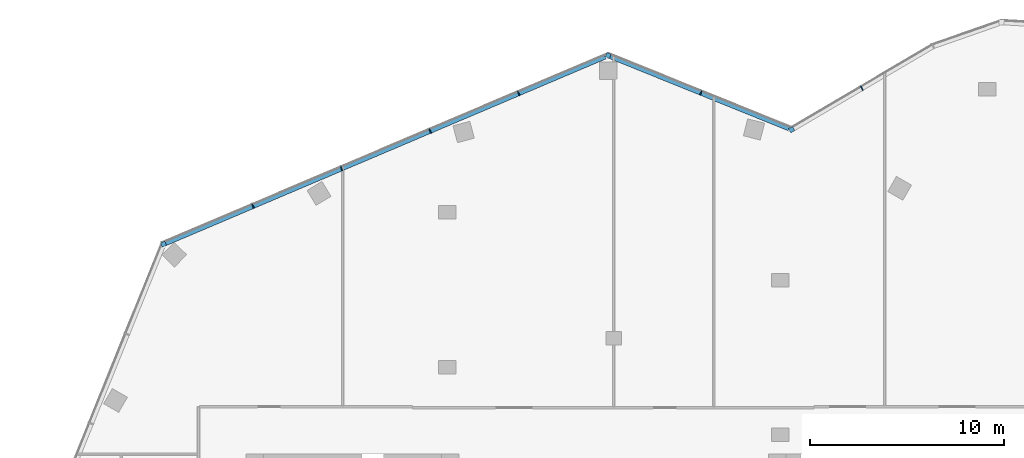
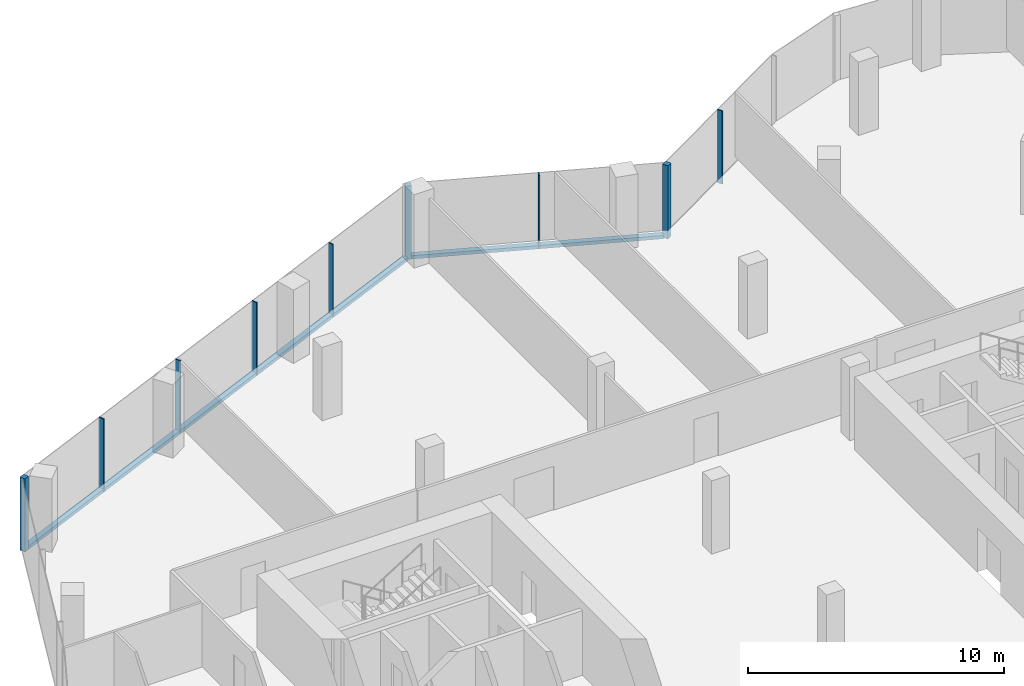
# One storey, part 8 of 16: 11 members, 3 elements without a shape of their own.
"""IFC4 building model written with IfcOpenShell, lengths in metres."""

from ifc_helpers import new_model, si_unit, direction, frame, origin, origin_2d, place, context, subcontext, project, spatial, rectangle, extrude, material, material_profile, profile_set, type_object, element, aggregate, save


model = new_model("IFC4")

# Units and contexts
model_context = context("Model", 3, precision=1e-05, world=origin(), true_north=direction((0.0, 1.0)))
body_context = subcontext(model_context, "Body", "Model", "MODEL_VIEW")
ifc_project = project(units=[si_unit("LENGTHUNIT", "METRE"), si_unit("AREAUNIT", "SQUARE_METRE"), si_unit("VOLUMEUNIT", "CUBIC_METRE"), si_unit("PLANEANGLEUNIT", "RADIAN"), si_unit("MASSUNIT", "GRAM", prefix="KILO")], contexts=[model_context])

# Site, building, storey
site_placement = place(None, origin())
site = spatial("IfcSite", under=ifc_project, at=site_placement, CompositionType="ELEMENT")
building_placement = place(site_placement, origin())
building = spatial("IfcBuilding", under=site, at=building_placement, Name="Orlundy Tower", CompositionType="ELEMENT")
storey_placement = place(building_placement, frame((0.0, 0.0, 282.39990234375)))
storey = spatial("IfcBuildingStorey", under=building, at=storey_placement, Name="L75", CompositionType="ELEMENT", Elevation=282.39990234375)

# Curtain wall, member
ifc_material_1 = material(Name="Aluminium bronze anodised", Category="aluminium")
curtain_wall_type = type_object("IfcCurtainWallType", Name="CW6 wall", PredefinedType="NOTDEFINED", material=ifc_material_1)
curtain_wall_1_placement = place(storey_placement, origin())
curtain_wall_1 = element("IfcCurtainWall", 1, at=curtain_wall_1_placement, inside=storey, type_object=curtain_wall_type, Name="CW6 run 016", PredefinedType="NOTDEFINED")
ifc_material_2 = material(Name="Aluminium bronze anodised", Category="aluminium")
ifc_material_profile_1 = material_profile(ifc_material_2, rectangle(XDim=0.239990234375, YDim=0.239990234375, at=origin_2d()), Name="CW6 corner post 240x240")
ifc_profile_set_1 = profile_set([ifc_material_profile_1], Name="Aluminium bronze anodised")
member_type_1 = type_object("IfcMemberType", Name="CW6 corner post 240x240", PredefinedType="MULLION", material=ifc_profile_set_1)
member_1_placement = place(storey_placement, frame((-23.253662109375, 22.85107421875, -0.39990234375), z_axis=(0.0, 0.0, 1.0), x_axis=(-0.390726531244, 0.920506804854, 0.0)))
member_1 = element("IfcMember", 2, at=member_1_placement, type_object=member_type_1, Name="CW6 mullion 32", PredefinedType="MULLION", context=body_context, shape_type="SweptSolid", body=[
    extrude(rectangle(XDim=0.239990234375, YDim=0.239990234375, at=origin_2d()), origin(), (0.0, 0.0, 1.0), 3.5),
])

curtain_wall_2_placement = place(storey_placement, origin())
curtain_wall_2 = element("IfcCurtainWall", 3, at=curtain_wall_2_placement, inside=storey, type_object=curtain_wall_type, Name="CW6 run 017", PredefinedType="NOTDEFINED")
member_2_placement = place(storey_placement, frame((-0.2841796875, 32.600830078125, -0.39990234375), z_axis=(0.0, 0.0, 1.0), x_axis=(0.374639101319, 0.927170719858, 0.0)))
member_2 = element("IfcMember", 4, at=member_2_placement, type_object=member_type_1, Name="CW6 mullion 37", PredefinedType="MULLION", context=body_context, shape_type="SweptSolid", body=[
    extrude(rectangle(XDim=0.239990234375, YDim=0.239990234375, at=origin_2d()), origin(), (0.0, 0.0, 1.0), 3.5),
])

curtain_wall_3_placement = place(storey_placement, origin())
curtain_wall_3 = element("IfcCurtainWall", 5, at=curtain_wall_3_placement, inside=storey, type_object=curtain_wall_type, Name="CW6 run 018", PredefinedType="NOTDEFINED")
member_3_placement = place(storey_placement, frame((9.197998046875, 28.76953125, -0.39990234375), z_axis=(0.0, 0.0, 1.0), x_axis=(-0.5074810252, 0.861662932394, 0.0)))
member_3 = element("IfcMember", 6, at=member_3_placement, type_object=member_type_1, Name="CW6 mullion 39", PredefinedType="MULLION", context=body_context, shape_type="SweptSolid", body=[
    extrude(rectangle(XDim=0.239990234375, YDim=0.239990234375, at=origin_2d()), origin(), (0.0, 0.0, 1.0), 3.5),
])

# Member
ifc_material_3 = material(Name="Aluminium bronze anodised", Category="aluminium")
ifc_material_profile_2 = material_profile(ifc_material_3, rectangle(XDim=0.239990234375, YDim=0.050048828125, at=origin_2d()), Name="CW6 mullion 50x240")
ifc_profile_set_2 = profile_set([ifc_material_profile_2], Name="Aluminium bronze anodised")
member_type_2 = type_object("IfcMemberType", Name="CW6 mullion 50x240", PredefinedType="MULLION", material=ifc_profile_set_2)
member_4_placement = place(storey_placement, frame((-18.63232421875, 24.812744140625, -0.39990234375), z_axis=(0.0, 0.0, 1.0), x_axis=(-0.390726531244, 0.920506804854, 0.0)))
member_4 = element("IfcMember", 7, at=member_4_placement, type_object=member_type_2, Name="CW6 mullion 33", PredefinedType="MULLION", context=body_context, shape_type="SweptSolid", body=[
    extrude(rectangle(XDim=0.239990234375, YDim=0.050048828125, at=origin_2d()), origin(), (0.0, 0.0, 1.0), 3.5),
])

member_5_placement = place(storey_placement, frame((-14.056640625, 26.7548828125, -0.39990234375), z_axis=(0.0, 0.0, 1.0), x_axis=(-0.390726531244, 0.920506804854, 0.0)))
member_5 = element("IfcMember", 8, at=member_5_placement, type_object=member_type_2, Name="CW6 mullion 34", PredefinedType="MULLION", context=body_context, shape_type="SweptSolid", body=[
    extrude(rectangle(XDim=0.239990234375, YDim=0.050048828125, at=origin_2d()), origin(), (0.0, 0.0, 1.0), 3.5),
])

member_6_placement = place(storey_placement, frame((-9.481201171875, 28.697021484375, -0.39990234375), z_axis=(0.0, 0.0, 1.0), x_axis=(-0.390726531244, 0.920506804854, 0.0)))
member_6 = element("IfcMember", 9, at=member_6_placement, type_object=member_type_2, Name="CW6 mullion 35", PredefinedType="MULLION", context=body_context, shape_type="SweptSolid", body=[
    extrude(rectangle(XDim=0.239990234375, YDim=0.050048828125, at=origin_2d()), origin(), (0.0, 0.0, 1.0), 3.5),
])

member_7_placement = place(storey_placement, frame((-4.905517578125, 30.63916015625, -0.39990234375), z_axis=(0.0, 0.0, 1.0), x_axis=(-0.390726531244, 0.920506804854, 0.0)))
member_7 = element("IfcMember", 10, at=member_7_placement, type_object=member_type_2, Name="CW6 mullion 36", PredefinedType="MULLION", context=body_context, shape_type="SweptSolid", body=[
    extrude(rectangle(XDim=0.239990234375, YDim=0.050048828125, at=origin_2d()), origin(), (0.0, 0.0, 1.0), 3.5),
])

member_8_placement = place(storey_placement, frame((4.507568359375, 30.664794921875, -0.39990234375), z_axis=(0.0, 0.0, 1.0), x_axis=(0.374639101319, 0.927170719858, 0.0)))
member_8 = element("IfcMember", 11, at=member_8_placement, type_object=member_type_2, Name="CW6 mullion 38", PredefinedType="MULLION", context=body_context, shape_type="SweptSolid", body=[
    extrude(rectangle(XDim=0.239990234375, YDim=0.050048828125, at=origin_2d()), origin(), (0.0, 0.0, 1.0), 3.5),
])

member_9_placement = place(storey_placement, frame((12.822998046875, 30.904296875, -0.39990234375), z_axis=(0.0, 0.0, 1.0), x_axis=(-0.5074810252, 0.861662932394, 0.0)))
member_9 = element("IfcMember", 12, at=member_9_placement, type_object=member_type_2, Name="CW6 mullion 40", PredefinedType="MULLION", context=body_context, shape_type="SweptSolid", body=[
    extrude(rectangle(XDim=0.239990234375, YDim=0.050048828125, at=origin_2d()), origin(), (0.0, 0.0, 1.0), 3.5),
])

aggregate(curtain_wall_3, [member_3, member_9])

ifc_material_4 = material(Name="Aluminium bronze anodised", Category="aluminium")
ifc_material_profile_3 = material_profile(ifc_material_4, rectangle(XDim=0.239990234375, YDim=0.159912109375, at=origin_2d()), Name="CW6 transom 240x160")
ifc_profile_set_3 = profile_set([ifc_material_profile_3], Name="Aluminium bronze anodised")
member_type_3 = type_object("IfcMemberType", Name="CW6 transom 240x160", PredefinedType="USERDEFINED", material=ifc_profile_set_3)
member_10_placement = place(storey_placement, frame((-23.14306640625, 22.89794921875, -0.31982421875), z_axis=(0.920504544268, 0.390731856881, 0.0), x_axis=(-0.390731856881, 0.920504544268, 0.0)))
member_10 = element("IfcMember", 13, at=member_10_placement, type_object=member_type_3, Name="CW6 transom", ObjectType="TRANSOM", PredefinedType="USERDEFINED", context=body_context, shape_type="SweptSolid", body=[
    extrude(rectangle(XDim=0.239990234375, YDim=0.159912109375, at=origin_2d()), origin(), (0.0, 0.0, 1.0), 24.663330078125),
])

aggregate(curtain_wall_1, [member_1, member_4, member_5, member_6, member_7, member_10])

member_11_placement = place(storey_placement, frame((-0.1728515625, 32.555908203125, -0.31982421875), z_axis=(0.927173868199, -0.374631309595, 0.0), x_axis=(0.374631309595, 0.927173868199, 0.0)))
member_11 = element("IfcMember", 14, at=member_11_placement, type_object=member_type_3, Name="CW6 transom", ObjectType="TRANSOM", PredefinedType="USERDEFINED", context=body_context, shape_type="SweptSolid", body=[
    extrude(rectangle(XDim=0.239990234375, YDim=0.159912109375, at=origin_2d()), origin(), (0.0, 0.0, 1.0), 9.955810546875),
])

aggregate(curtain_wall_2, [member_2, member_8, member_11])

save(model, "model.ifc")
